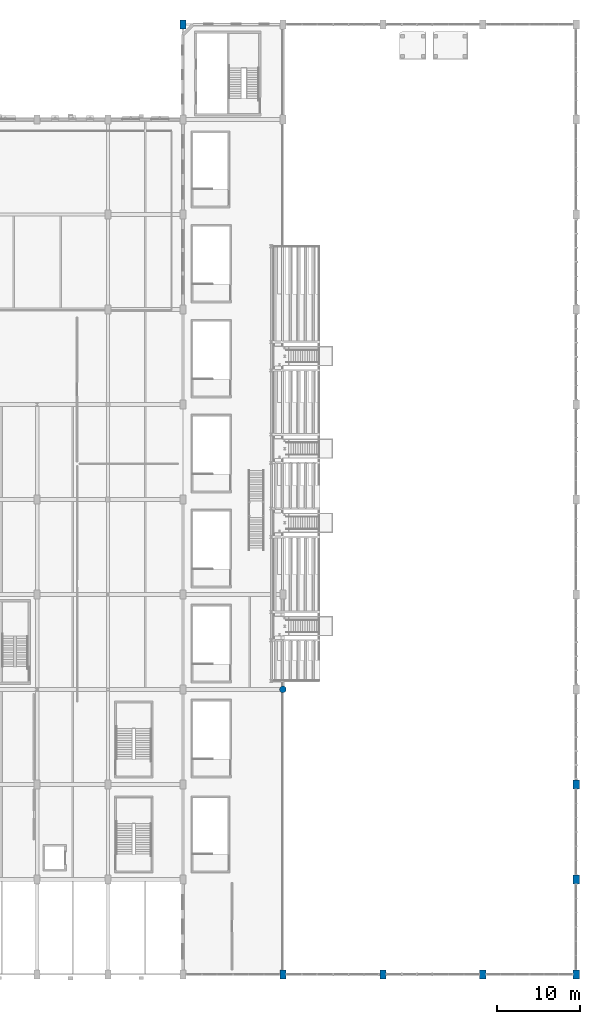
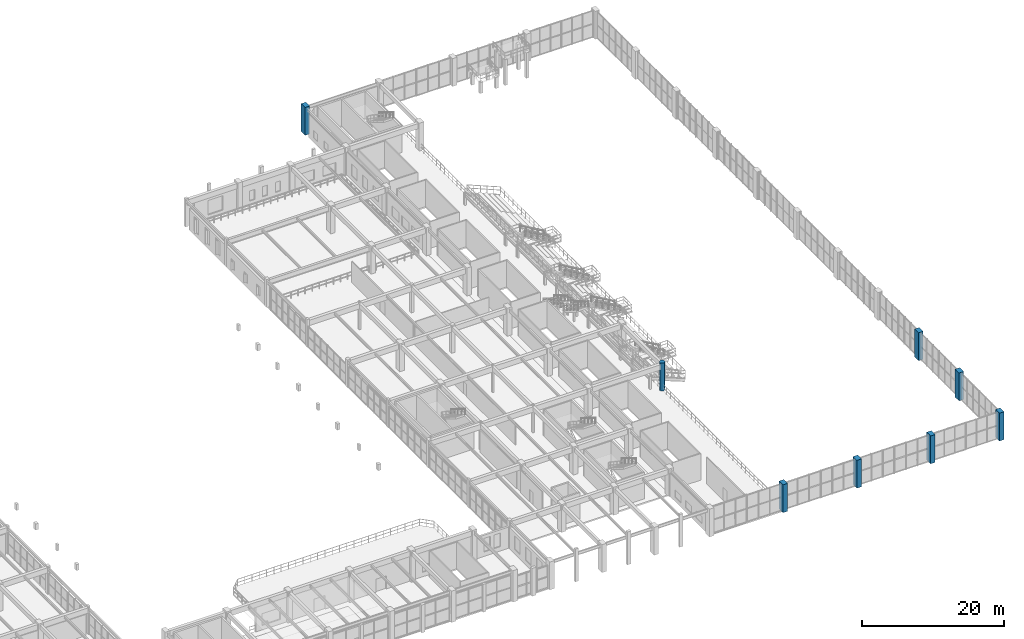
# One storey, part 11 of 106: 8 columns.
"""IFC4 building model written with IfcOpenShell, lengths in metres."""

import ifcopenshell
import ifcopenshell.guid

model = None  # the IFC model being written
_history = None  # IfcOwnerHistory: only IFC2X3 demands one
_inside = {}  # id of a spatial element -> (the spatial element, [elements in it])
_under = {}  # id of a project, library or spatial element -> (it, [spatial elements below it])
_declared = {}  # id of a project -> (the project, [libraries it declares])
_typed = {}  # id of a type object -> (the type object, [elements of that type])
_made_of = {}  # id of a material, layer set ... -> (it, [elements and type objects made of it])


def new_model(schema):
    """Start an empty IFC model of exactly this schema.

    Asked for "IFC4X3", IfcOpenShell would pick the latest addendum, in which some entities
    have other attributes; the version numbers below select the first issue.
    IFC2X3 requires an IfcOwnerHistory on every rooted entity: one is made here for all.
    """
    global model, _history
    if schema == "IFC4X3":
        model = ifcopenshell.file(schema_version=(4, 3, 0, 0))
    else:
        model = ifcopenshell.file(schema=schema)
    _inside.clear()
    _under.clear()
    _declared.clear()
    _typed.clear()
    _made_of.clear()
    _history = None
    if model.schema == "IFC2X3":
        org = make("IfcOrganization", Name="unknown")
        user = make(
            "IfcPersonAndOrganization",
            ThePerson=make("IfcPerson", FamilyName="unknown"),
            TheOrganization=org,
        )
        app = make(
            "IfcApplication",
            ApplicationDeveloper=org,
            Version="unknown",
            ApplicationFullName="unknown",
            ApplicationIdentifier="unknown",
        )
        _history = make(
            "IfcOwnerHistory",
            OwningUser=user,
            OwningApplication=app,
            ChangeAction="ADDED",
            CreationDate=0,
        )
    return model


def make(cls, **values):
    """One entity of the class cls with the attributes given. An attribute that is None is left unset."""
    return model.create_entity(
        cls, **{name: value for name, value in values.items() if value is not None}
    )


def rooted(cls, **values):
    """An entity with a GlobalId (a new one), such as an element, a storey or a relation."""
    return make(cls, GlobalId=ifcopenshell.guid.new(), OwnerHistory=_history, **values)


def si_unit(unit_type, name, prefix=None):
    """IfcSIUnit, for example si_unit("LENGTHUNIT", "METRE", prefix="MILLI")."""
    return make("IfcSIUnit", UnitType=unit_type, Prefix=prefix, Name=name)


def assignment(units):
    """IfcUnitAssignment: the units of a project."""
    return None if units is None else make("IfcUnitAssignment", Units=units)


def point(xyz):
    """IfcCartesianPoint."""
    return None if xyz is None else make("IfcCartesianPoint", Coordinates=xyz)


def direction(xyz):
    """IfcDirection."""
    return None if xyz is None else make("IfcDirection", DirectionRatios=xyz)


def frame(location, z_axis=None, x_axis=None):
    """IfcAxis2Placement3D, a coordinate frame: its origin and axes. An axis left out is left unset."""
    return make(
        "IfcAxis2Placement3D",
        Location=point(location),
        Axis=direction(z_axis),
        RefDirection=direction(x_axis),
    )


def frame_2d(location, x_axis=None):
    """IfcAxis2Placement2D, a coordinate frame in the plane: its origin and x axis."""
    return make(
        "IfcAxis2Placement2D", Location=point(location), RefDirection=direction(x_axis)
    )


def origin():
    """The frame at (0, 0, 0) with its axes left unset."""
    return frame((0.0, 0.0, 0.0))


def origin_2d():
    """The frame at (0, 0) in the plane with its x axis left unset."""
    return frame_2d((0.0, 0.0))


def place(relative_to, where):
    """IfcLocalPlacement: puts the frame where relative to a parent placement (None: the world)."""
    return make(
        "IfcLocalPlacement", PlacementRelTo=relative_to, RelativePlacement=where
    )


def context(
    kind, dimensions, precision=None, world=None, true_north=None, identifier=None
):
    """IfcGeometricRepresentationContext, for example the 3D "Model" context."""
    return make(
        "IfcGeometricRepresentationContext",
        ContextIdentifier=identifier,
        ContextType=kind,
        CoordinateSpaceDimension=dimensions,
        Precision=precision,
        WorldCoordinateSystem=world,
        TrueNorth=true_north,
    )


def subcontext(parent, identifier, kind, view, scale=None):
    """IfcGeometricRepresentationSubContext, for example "Body" below "Model"."""
    return make(
        "IfcGeometricRepresentationSubContext",
        ContextIdentifier=identifier,
        ContextType=kind,
        ParentContext=parent,
        TargetScale=scale,
        TargetView=view,
    )


def project(units=None, contexts=None):
    """IfcProject with its units and contexts."""
    return rooted(
        "IfcProject",
        Name="project",
        RepresentationContexts=contexts,
        UnitsInContext=assignment(units),
    )


def spatial(cls, under=None, at=None, **own):
    """A site, building, storey or space (cls), placed at a placement, below another one or the project."""
    s = rooted(cls, ObjectPlacement=at, **own)
    if under is not None:
        _under.setdefault(under.id(), (under, []))[1].append(s)
    return s


def profile(cls, at=None, kind="AREA", **sizes):
    """A parametric profile (cls). Its sizes go by their IFC names, for example OverallWidth=200.0."""
    return make(cls, ProfileType=kind, Position=at, **sizes)


def rectangle(**sizes):
    """IfcRectangleProfileDef."""
    return profile("IfcRectangleProfileDef", **sizes)


def circle(**sizes):
    """IfcCircleProfileDef."""
    return profile("IfcCircleProfileDef", **sizes)


def extrude(swept, where, along, depth):
    """IfcExtrudedAreaSolid: the profile swept, set in the frame where, extruded along a direction by depth."""
    return make(
        "IfcExtrudedAreaSolid",
        SweptArea=swept,
        Position=where,
        ExtrudedDirection=direction(along),
        Depth=depth,
    )


def shape(context_of_items, identifier, shape_type, items):
    """IfcShapeRepresentation: the items that make up one representation, for example the "Body"."""
    return make(
        "IfcShapeRepresentation",
        ContextOfItems=context_of_items,
        RepresentationIdentifier=identifier,
        RepresentationType=shape_type,
        Items=items,
    )


def material(Name=None, Category=None):
    """IfcMaterial."""
    return make("IfcMaterial", Name=Name, Category=Category)


def material_profile(
    of_material, cross_section, Name=None, Category=None, Priority=None
):
    """IfcMaterialProfile: a cross section and its material."""
    return make(
        "IfcMaterialProfile",
        Name=Name,
        Material=of_material,
        Profile=cross_section,
        Priority=Priority,
        Category=Category,
    )


def profile_set(profiles, Name=None, composite=None):
    """IfcMaterialProfileSet."""
    return make(
        "IfcMaterialProfileSet",
        Name=Name,
        MaterialProfiles=profiles,
        CompositeProfile=composite,
    )


def made_of(thing, what):
    """Note that an element or type object is made of a material, layer set ...; save() writes the relation."""
    if what is not None:
        _made_of.setdefault(what.id(), (what, []))[1].append(thing)
    return thing


def type_object(cls, material=None, **own):
    """A type object (cls), such as IfcWallType, which elements share."""
    return made_of(rooted(cls, **own), material)


def element(
    cls,
    number,
    at=None,
    inside=None,
    cuts=None,
    type_object=None,
    material=None,
    context=None,
    identifier="Body",
    shape_type=None,
    held_by="IfcProductDefinitionShape",
    body=None,
    shapes=None,
    **own,
):
    """One element of the class cls, such as IfcWall. Its Tag is "e" and its number.

    at: its placement. inside: the storey or other place that contains it. cuts: it is an
    opening in that element (IfcRelVoidsElement). A single representation is given by context,
    identifier, shape_type and body (its items); several are given by shapes. held_by: the class
    of the entity that holds the representations. save() writes the other relations.
    """
    e = rooted(cls, Tag="e%d" % number, ObjectPlacement=at, **own)
    if body is not None:
        shapes = [shape(context, identifier, shape_type, body)]
    if shapes is not None:
        e.Representation = make(held_by, Representations=shapes)
    if inside is not None:
        _inside.setdefault(inside.id(), (inside, []))[1].append(e)
    if cuts is not None:
        rooted(
            "IfcRelVoidsElement", RelatingBuildingElement=cuts, RelatedOpeningElement=e
        )
    if type_object is not None:
        _typed.setdefault(type_object.id(), (type_object, []))[1].append(e)
    return made_of(e, material)


def aggregate(whole, parts):
    """IfcRelAggregates: a whole, such as a stair, and the parts it consists of."""
    return rooted("IfcRelAggregates", RelatingObject=whole, RelatedObjects=parts)


def save(model, path):
    """Write the relations noted so far, then the file.

    IfcRelAggregates (storeys below a building ...), IfcRelContainedInSpatialStructure (elements
    in a storey), IfcRelDefinesByType, IfcRelAssociatesMaterial and IfcRelDeclares: one each for
    every whole, place, type object, material and project.
    """
    for whole, parts in _under.values():
        aggregate(whole, parts)
    for where, things in _inside.values():
        rooted(
            "IfcRelContainedInSpatialStructure",
            RelatedElements=things,
            RelatingStructure=where,
        )
    for kind, things in _typed.values():
        rooted("IfcRelDefinesByType", RelatedObjects=things, RelatingType=kind)
    for what, things in _made_of.values():
        rooted("IfcRelAssociatesMaterial", RelatedObjects=things, RelatingMaterial=what)
    for by, libraries in _declared.values():
        rooted("IfcRelDeclares", RelatingContext=by, RelatedDefinitions=libraries)
    model.write(path)


model = new_model("IFC4")

# Units and contexts
model_context = context("Model", 3, precision=1e-05, world=origin(), true_north=direction((0.0, 1.0)))
body_context = subcontext(model_context, "Body", "Model", "MODEL_VIEW")
ifc_project = project(units=[si_unit("LENGTHUNIT", "METRE"), si_unit("AREAUNIT", "SQUARE_METRE"), si_unit("VOLUMEUNIT", "CUBIC_METRE"), si_unit("PLANEANGLEUNIT", "RADIAN"), si_unit("MASSUNIT", "GRAM", prefix="KILO"), si_unit("POWERUNIT", "WATT"), si_unit("THERMODYNAMICTEMPERATUREUNIT", "KELVIN")], contexts=[model_context])

# Site, building, storey
site_placement = place(None, origin())
site = spatial("IfcSite", under=ifc_project, at=site_placement, CompositionType="ELEMENT")
building_placement = place(site_placement, origin())
building = spatial("IfcBuilding", under=site, at=building_placement, Name="Kelmbourne Parkland Aquatics Centre", CompositionType="ELEMENT")
storey_placement = place(building_placement, frame((0.0, 0.0, 5.39990234375)))
storey = spatial("IfcBuildingStorey", under=building, at=storey_placement, Name="L01", CompositionType="ELEMENT", Elevation=5.39990234375)

# Columns
ifc_material = material(Name="Concrete C40/50", Category="concrete")
ifc_material_profile_1 = material_profile(ifc_material, rectangle(XDim=0.75, YDim=1.10009765625, at=origin_2d()), Name="RC 750x1100")
ifc_profile_set_1 = profile_set([ifc_material_profile_1], Name="Concrete C40/50")
column_type_1 = type_object("IfcColumnType", Name="COL-C03", PredefinedType="COLUMN", material=ifc_profile_set_1)
for number, where, z_axis, x_axis, name in (
    (1, (128.0, 114.800048828125, 0.0), (0.0, 0.0, 1.0), (1.0, 0.0, 0.0), "Structural column P-14 (L01)"),
    (2, (140.0, 0.800048828125, 0.0), (0.0, 0.0, 1.0), (1.0, 0.0, 0.0), "Structural column Q-01 (L01)"),
    (3, (152.0, 0.800048828125, 0.0), (0.0, 0.0, 1.0), (1.0, 0.0, 0.0), "Structural column R-01 (L01)"),
    (4, (164.0, 0.800048828125, 0.0), (0.0, 0.0, 1.0), (1.0, 0.0, 0.0), "Structural column S-01 (L01)"),
    (5, (175.199951171875, 0.800048828125, 0.0), (0.0, 0.0, 1.0), (1.0, 0.0, 0.0), "Structural column T-01 (L01)"),
    (6, (175.199951171875, 12.199951171875, 0.0), (0.0, 0.0, 1.0), (1.0, 0.0, 0.0), "Structural column T-03 (L01)"),
    (7, (175.199951171875, 23.60009765625, 0.0), (0.0, 0.0, 1.0), (1.0, 0.0, 0.0), "Structural column T-04 (L01)"),
):
    element("IfcColumn", number, at=place(storey_placement, frame(where, z_axis=z_axis, x_axis=x_axis)), inside=storey, type_object=column_type_1, Name=name, PredefinedType="COLUMN", context=body_context, shape_type="SweptSolid", body=[
        extrude(rectangle(XDim=0.75, YDim=1.10009765625, at=origin_2d()), origin(), (0.0, 0.0, 1.0), 4.800048828125),
    ])
ifc_material_profile_2 = material_profile(ifc_material, circle(Radius=0.39990234375, at=origin_2d()), Name="RC D800")
ifc_profile_set_2 = profile_set([ifc_material_profile_2], Name="Concrete C40/50")
column_type_2 = type_object("IfcColumnType", Name="COL-C09", PredefinedType="COLUMN", material=ifc_profile_set_2)
column_placement = place(storey_placement, frame((140.0, 35.0, 0.0), z_axis=(0.0, 0.0, 1.0), x_axis=(1.0, 0.0, 0.0)))
element("IfcColumn", 8, at=column_placement, inside=storey, type_object=column_type_2, Name="Structural column Q-05 (L01)", PredefinedType="COLUMN", context=body_context, shape_type="SweptSolid", body=[
    extrude(circle(Radius=0.39990234375, at=origin_2d()), origin(), (0.0, 0.0, 1.0), 4.800048828125),
])

save(model, "model.ifc")
